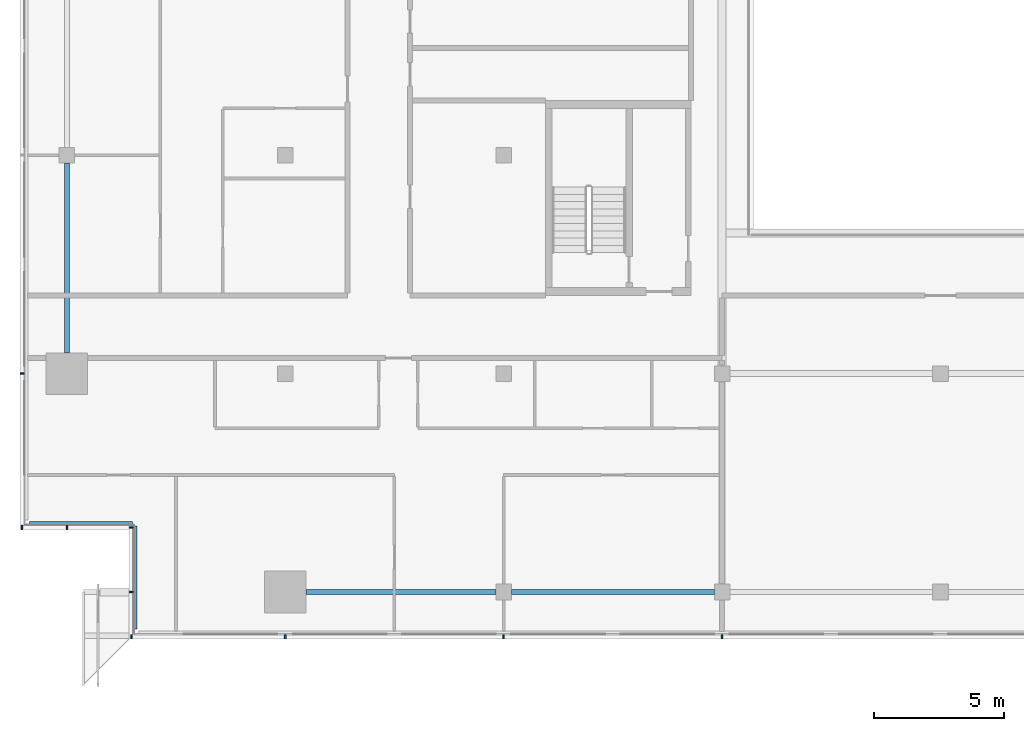
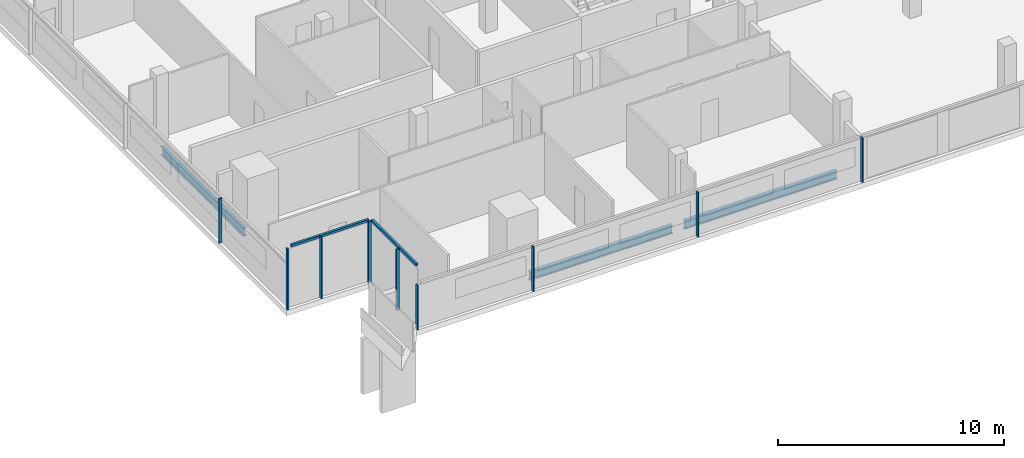
# One storey, part 2 of 25: 11 members, 3 beams, 4 elements without a shape of their own.
"""IFC4 building model written with IfcOpenShell, lengths in metres."""

from ifc_helpers import new_model, si_unit, direction, frame, origin, origin_2d, place, context, subcontext, project, spatial, rectangle, i_section, extrude, material, material_profile, profile_set, type_object, element, aggregate, save


model = new_model("IFC4")

# Units and contexts
model_context = context("Model", 3, precision=1e-05, world=origin(), true_north=direction((0.0, 1.0)))
body_context = subcontext(model_context, "Body", "Model", "MODEL_VIEW")
ifc_project = project(units=[si_unit("LENGTHUNIT", "METRE"), si_unit("AREAUNIT", "SQUARE_METRE"), si_unit("VOLUMEUNIT", "CUBIC_METRE"), si_unit("PLANEANGLEUNIT", "RADIAN"), si_unit("MASSUNIT", "GRAM", prefix="KILO")], contexts=[model_context])

# Site, building, storey
site_placement = place(None, origin())
site = spatial("IfcSite", under=ifc_project, at=site_placement, CompositionType="ELEMENT")
building_placement = place(site_placement, origin())
building = spatial("IfcBuilding", under=site, at=building_placement, Name="Saffron Gate Tower", CompositionType="ELEMENT")
storey_placement = place(building_placement, frame((0.0, 0.0, 248.699951171875)))
storey = spatial("IfcBuildingStorey", under=building, at=storey_placement, Name="L61", CompositionType="ELEMENT", Elevation=248.699951171875)

# Beams
ifc_material_1 = material(Name="Structural steel S355", Category="steel")
ifc_material_profile_1 = material_profile(ifc_material_1, i_section(OverallWidth=0.18994140625, OverallDepth=0.449951171875, WebThickness=0.009521484375, FlangeThickness=0.0146484375, FilletRadius=0.02099609375, at=origin_2d()))
ifc_profile_set_1 = profile_set([ifc_material_profile_1], Name="Structural steel S355")
beam_type = type_object("IfcBeamType", Name="B7 IPE 450", PredefinedType="SPANDREL", material=ifc_profile_set_1)
for number, where, z_axis, x_axis, name in (
    (1, (49.800048828125, 41.0, -0.5048828125), (0.0, 1.0, 0.0), (-1.0, 0.0, 0.0), "B7 SPANDREL BEAM"),
    (2, (59.0, 31.800048828125, -0.5048828125), (1.0, 0.0, 0.0), (0.0, 1.0, 0.0), "B7 SPANDREL BEAM"),
):
    element("IfcBeam", number, at=place(storey_placement, frame(where, z_axis=z_axis, x_axis=x_axis)), inside=storey, type_object=beam_type, Name=name, PredefinedType="SPANDREL", context=body_context, shape_type="SweptSolid", body=[
        extrude(i_section(OverallWidth=0.18994140625, OverallDepth=0.449951171875, WebThickness=0.009521484375, FlangeThickness=0.0146484375, FilletRadius=0.02099609375, at=origin_2d()), origin(), (0.0, 0.0, 1.0), 7.300048828125),
    ])
beam_placement = place(storey_placement, frame((66.89990234375, 31.800048828125, -0.5048828125), z_axis=(1.0, 0.0, 0.0), x_axis=(0.0, 1.0, 0.0)))
element("IfcBeam", 3, at=beam_placement, inside=storey, type_object=beam_type, Name="B7 SPANDREL BEAM", PredefinedType="SPANDREL", context=body_context, shape_type="SweptSolid", body=[
    extrude(i_section(OverallWidth=0.18994140625, OverallDepth=0.449951171875, WebThickness=0.009521484375, FlangeThickness=0.0146484375, FilletRadius=0.02099609375, at=origin_2d()), origin(), (0.0, 0.0, 1.0), 7.800048828125),
])

# Curtain wall, members
ifc_material_2 = material(Name="Aluminium, bronze anodised", Category="aluminium")
curtain_wall_type_1 = type_object("IfcCurtainWallType", Name="CWS1 curtain wall front facade", PredefinedType="NOTDEFINED", material=ifc_material_2)
curtain_wall_1_placement = place(storey_placement, origin())
curtain_wall_1 = element("IfcCurtainWall", 4, at=curtain_wall_1_placement, inside=storey, type_object=curtain_wall_type_1, Name="CWS1 run 1", PredefinedType="NOTDEFINED")
ifc_material_profile_2 = material_profile(ifc_material_2, rectangle(XDim=0.159912109375, YDim=0.06005859375, at=origin_2d()))
ifc_profile_set_2 = profile_set([ifc_material_profile_2], Name="Aluminium, bronze anodised")
member_type_1 = type_object("IfcMemberType", Name="CWS1 mullion 60x160", PredefinedType="MULLION", material=ifc_profile_set_2)
member_1_placement = place(storey_placement, frame((52.280029296875, 30.080078125, 0.0), z_axis=(0.0, 0.0, 1.0), x_axis=(0.0, 1.0, 0.0)))
member_1 = element("IfcMember", 5, at=member_1_placement, type_object=member_type_1, Name="CWS1 mullion 1", PredefinedType="MULLION", context=body_context, shape_type="SweptSolid", body=[
    extrude(rectangle(XDim=0.159912109375, YDim=0.06005859375, at=origin_2d()), origin(), (0.0, 0.0, 1.0), 2.41015625),
])
member_2_placement = place(storey_placement, frame((58.199951171875, 30.080078125, 0.0), z_axis=(0.0, 0.0, 1.0), x_axis=(0.0, 1.0, 0.0)))
member_2 = element("IfcMember", 6, at=member_2_placement, type_object=member_type_1, Name="CWS1 mullion 2", PredefinedType="MULLION", context=body_context, shape_type="SweptSolid", body=[
    extrude(rectangle(XDim=0.159912109375, YDim=0.06005859375, at=origin_2d()), origin(), (0.0, 0.0, 1.0), 2.41015625),
])
member_3_placement = place(storey_placement, frame((66.60009765625, 30.080078125, 0.0), z_axis=(0.0, 0.0, 1.0), x_axis=(0.0, 1.0, 0.0)))
member_3 = element("IfcMember", 7, at=member_3_placement, type_object=member_type_1, Name="CWS1 mullion 3", PredefinedType="MULLION", context=body_context, shape_type="SweptSolid", body=[
    extrude(rectangle(XDim=0.159912109375, YDim=0.06005859375, at=origin_2d()), origin(), (0.0, 0.0, 1.0), 2.41015625),
])
member_4_placement = place(storey_placement, frame((75.0, 30.080078125, 0.0), z_axis=(0.0, 0.0, 1.0), x_axis=(0.0, 1.0, 0.0)))
member_4 = element("IfcMember", 8, at=member_4_placement, type_object=member_type_1, Name="CWS1 mullion 4", PredefinedType="MULLION", context=body_context, shape_type="SweptSolid", body=[
    extrude(rectangle(XDim=0.159912109375, YDim=0.06005859375, at=origin_2d()), origin(), (0.0, 0.0, 1.0), 2.41015625),
])
aggregate(curtain_wall_1, [member_1, member_2, member_3, member_4])

# Curtain wall, member
curtain_wall_type_2 = type_object("IfcCurtainWallType", Name="CWS2 curtain wall side facades", PredefinedType="NOTDEFINED", material=ifc_material_2)
curtain_wall_2_placement = place(storey_placement, origin())
curtain_wall_2 = element("IfcCurtainWall", 9, at=curtain_wall_2_placement, inside=storey, type_object=curtain_wall_type_2, Name="CWS2 run 10", PredefinedType="NOTDEFINED")
ifc_material_profile_3 = material_profile(ifc_material_2, rectangle(XDim=0.159912109375, YDim=0.06005859375, at=origin_2d()))
ifc_profile_set_3 = profile_set([ifc_material_profile_3], Name="Aluminium, bronze anodised")
member_type_2 = type_object("IfcMemberType", Name="CWS2 mullion 60x160", PredefinedType="MULLION", material=ifc_profile_set_3)
member_5_placement = place(storey_placement, frame((48.080078125, 40.199951171875, 0.0), z_axis=(0.0, 0.0, 1.0), x_axis=(1.0, 0.0, 0.0)))
member_5 = element("IfcMember", 10, at=member_5_placement, type_object=member_type_2, Name="CWS2 mullion 5", PredefinedType="MULLION", context=body_context, shape_type="SweptSolid", body=[
    extrude(rectangle(XDim=0.159912109375, YDim=0.06005859375, at=origin_2d()), origin(), (0.0, 0.0, 1.0), 2.41015625),
])
aggregate(curtain_wall_2, [member_5])

curtain_wall_type_3 = type_object("IfcCurtainWallType", Name="CWS4 curtain wall corner returns", PredefinedType="NOTDEFINED", material=ifc_material_2)
curtain_wall_3_placement = place(storey_placement, origin())
curtain_wall_3 = element("IfcCurtainWall", 11, at=curtain_wall_3_placement, inside=storey, type_object=curtain_wall_type_3, Name="CWS4 run 11", PredefinedType="NOTDEFINED")
ifc_material_profile_4 = material_profile(ifc_material_2, rectangle(XDim=0.1201171875, YDim=0.1201171875, at=origin_2d()))
ifc_profile_set_4 = profile_set([ifc_material_profile_4], Name="Aluminium, bronze anodised")
member_type_3 = type_object("IfcMemberType", Name="CWS4 head transom", PredefinedType="USERDEFINED", material=ifc_profile_set_4)
member_6_placement = place(storey_placement, frame((48.367919921875, 34.447998046875, 3.239990234375), z_axis=(1.0, 0.0, 0.0), x_axis=(0.0, 1.0, 0.0)))
member_6 = element("IfcMember", 12, at=member_6_placement, type_object=member_type_3, Name="CWS4 head transom", ObjectType="TRANSOM", PredefinedType="USERDEFINED", context=body_context, shape_type="SweptSolid", body=[
    extrude(rectangle(XDim=0.1201171875, YDim=0.1201171875, at=origin_2d()), origin(), (0.0, 0.0, 1.0), 3.9599609375),
])

curtain_wall_4_placement = place(storey_placement, origin())
curtain_wall_4 = element("IfcCurtainWall", 13, at=curtain_wall_4_placement, inside=storey, type_object=curtain_wall_type_3, Name="CWS4 run 12", PredefinedType="NOTDEFINED")
member_7_placement = place(storey_placement, frame((52.447998046875, 34.327880859375, 3.239990234375), z_axis=(0.0, -1.0, 0.0), x_axis=(1.0, 0.0, 0.0)))
member_7 = element("IfcMember", 14, at=member_7_placement, type_object=member_type_3, Name="CWS4 head transom", ObjectType="TRANSOM", PredefinedType="USERDEFINED", context=body_context, shape_type="SweptSolid", body=[
    extrude(rectangle(XDim=0.1201171875, YDim=0.1201171875, at=origin_2d()), origin(), (0.0, 0.0, 1.0), 3.9599609375),
])

# Member
ifc_material_profile_5 = material_profile(ifc_material_2, rectangle(XDim=0.159912109375, YDim=0.06005859375, at=origin_2d()))
ifc_profile_set_5 = profile_set([ifc_material_profile_5], Name="Aluminium, bronze anodised")
member_type_4 = type_object("IfcMemberType", Name="CWS4 mullion 60x160", PredefinedType="MULLION", material=ifc_profile_set_5)
member_8_placement = place(storey_placement, frame((48.080078125, 34.280029296875, 0.0), z_axis=(0.0, 0.0, 1.0), x_axis=(0.0, 1.0, 0.0)))
member_8 = element("IfcMember", 15, at=member_8_placement, type_object=member_type_4, Name="CWS4 mullion 1", PredefinedType="MULLION", context=body_context, shape_type="SweptSolid", body=[
    extrude(rectangle(XDim=0.159912109375, YDim=0.06005859375, at=origin_2d()), origin(), (0.0, 0.0, 1.0), 3.300048828125),
])

member_9_placement = place(storey_placement, frame((49.800048828125, 34.280029296875, 0.0), z_axis=(0.0, 0.0, 1.0), x_axis=(0.0, 1.0, 0.0)))
member_9 = element("IfcMember", 16, at=member_9_placement, type_object=member_type_4, Name="CWS4 mullion 2", PredefinedType="MULLION", context=body_context, shape_type="SweptSolid", body=[
    extrude(rectangle(XDim=0.159912109375, YDim=0.06005859375, at=origin_2d()), origin(), (0.0, 0.0, 1.0), 3.300048828125),
])

aggregate(curtain_wall_3, [member_8, member_9, member_6])

member_10_placement = place(storey_placement, frame((52.280029296875, 34.280029296875, 0.0), z_axis=(0.0, 0.0, 1.0), x_axis=(1.0, 0.0, 0.0)))
member_10 = element("IfcMember", 17, at=member_10_placement, type_object=member_type_4, Name="CWS4 mullion 1", PredefinedType="MULLION", context=body_context, shape_type="SweptSolid", body=[
    extrude(rectangle(XDim=0.159912109375, YDim=0.06005859375, at=origin_2d()), origin(), (0.0, 0.0, 1.0), 3.300048828125),
])

member_11_placement = place(storey_placement, frame((52.280029296875, 31.800048828125, 0.0), z_axis=(0.0, 0.0, 1.0), x_axis=(1.0, 0.0, 0.0)))
member_11 = element("IfcMember", 18, at=member_11_placement, type_object=member_type_4, Name="CWS4 mullion 2", PredefinedType="MULLION", context=body_context, shape_type="SweptSolid", body=[
    extrude(rectangle(XDim=0.159912109375, YDim=0.06005859375, at=origin_2d()), origin(), (0.0, 0.0, 1.0), 3.300048828125),
])

aggregate(curtain_wall_4, [member_10, member_11, member_7])

save(model, "model.ifc")
